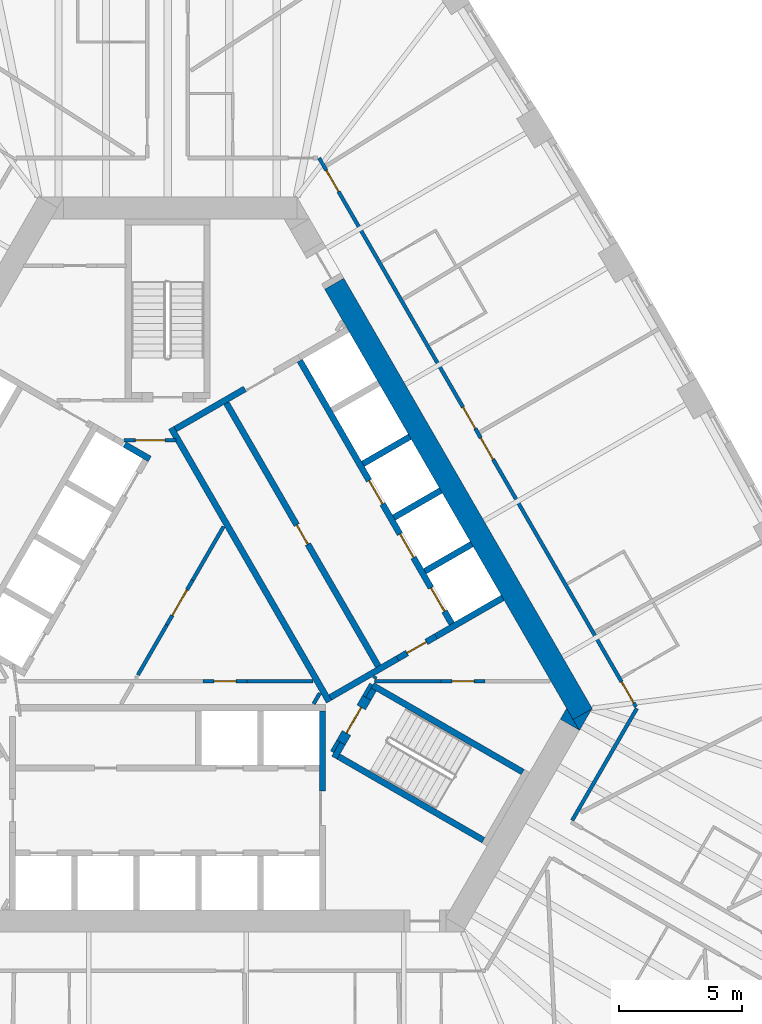
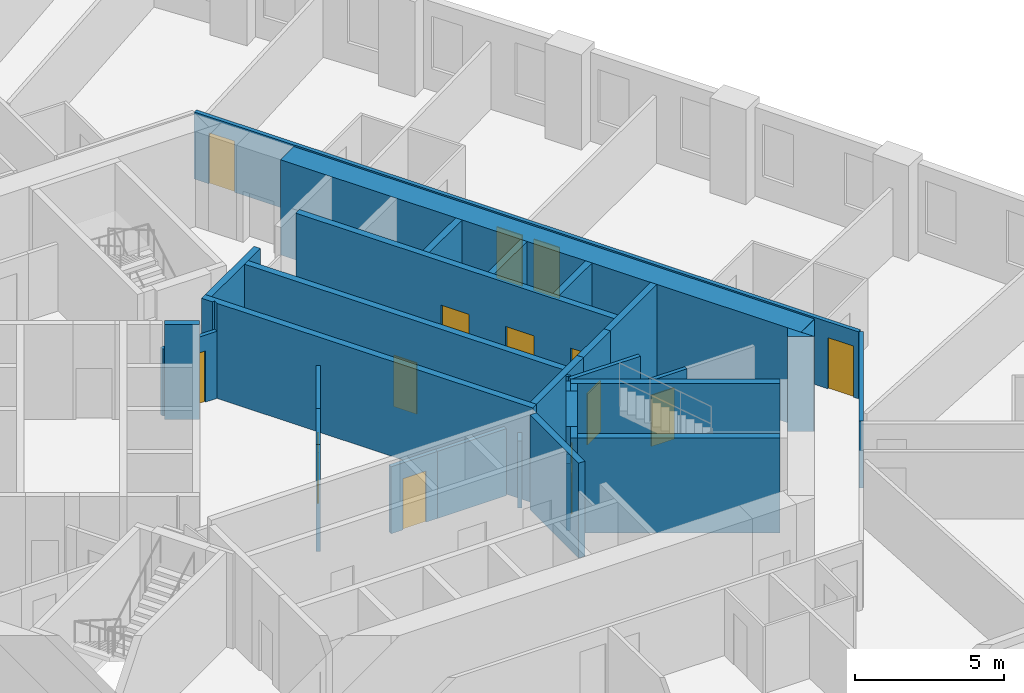
# One storey, part 8 of 13: 34 walls, 14 doors, 14 openings.
"""IFC4 building model written with IfcOpenShell, lengths in metres."""

import ifcopenshell
import ifcopenshell.guid

model = None  # the IFC model being written
_history = None  # IfcOwnerHistory: only IFC2X3 demands one
_inside = {}  # id of a spatial element -> (the spatial element, [elements in it])
_under = {}  # id of a project, library or spatial element -> (it, [spatial elements below it])
_declared = {}  # id of a project -> (the project, [libraries it declares])
_typed = {}  # id of a type object -> (the type object, [elements of that type])
_made_of = {}  # id of a material, layer set ... -> (it, [elements and type objects made of it])


def new_model(schema):
    """Start an empty IFC model of exactly this schema.

    Asked for "IFC4X3", IfcOpenShell would pick the latest addendum, in which some entities
    have other attributes; the version numbers below select the first issue.
    IFC2X3 requires an IfcOwnerHistory on every rooted entity: one is made here for all.
    """
    global model, _history
    if schema == "IFC4X3":
        model = ifcopenshell.file(schema_version=(4, 3, 0, 0))
    else:
        model = ifcopenshell.file(schema=schema)
    _inside.clear()
    _under.clear()
    _declared.clear()
    _typed.clear()
    _made_of.clear()
    _history = None
    if model.schema == "IFC2X3":
        org = make("IfcOrganization", Name="unknown")
        user = make(
            "IfcPersonAndOrganization",
            ThePerson=make("IfcPerson", FamilyName="unknown"),
            TheOrganization=org,
        )
        app = make(
            "IfcApplication",
            ApplicationDeveloper=org,
            Version="unknown",
            ApplicationFullName="unknown",
            ApplicationIdentifier="unknown",
        )
        _history = make(
            "IfcOwnerHistory",
            OwningUser=user,
            OwningApplication=app,
            ChangeAction="ADDED",
            CreationDate=0,
        )
    return model


def make(cls, **values):
    """One entity of the class cls with the attributes given. An attribute that is None is left unset."""
    return model.create_entity(
        cls, **{name: value for name, value in values.items() if value is not None}
    )


def rooted(cls, **values):
    """An entity with a GlobalId (a new one), such as an element, a storey or a relation."""
    return make(cls, GlobalId=ifcopenshell.guid.new(), OwnerHistory=_history, **values)


def si_unit(unit_type, name, prefix=None):
    """IfcSIUnit, for example si_unit("LENGTHUNIT", "METRE", prefix="MILLI")."""
    return make("IfcSIUnit", UnitType=unit_type, Prefix=prefix, Name=name)


def assignment(units):
    """IfcUnitAssignment: the units of a project."""
    return None if units is None else make("IfcUnitAssignment", Units=units)


def point(xyz):
    """IfcCartesianPoint."""
    return None if xyz is None else make("IfcCartesianPoint", Coordinates=xyz)


def direction(xyz):
    """IfcDirection."""
    return None if xyz is None else make("IfcDirection", DirectionRatios=xyz)


def frame(location, z_axis=None, x_axis=None):
    """IfcAxis2Placement3D, a coordinate frame: its origin and axes. An axis left out is left unset."""
    return make(
        "IfcAxis2Placement3D",
        Location=point(location),
        Axis=direction(z_axis),
        RefDirection=direction(x_axis),
    )


def frame_2d(location, x_axis=None):
    """IfcAxis2Placement2D, a coordinate frame in the plane: its origin and x axis."""
    return make(
        "IfcAxis2Placement2D", Location=point(location), RefDirection=direction(x_axis)
    )


def origin():
    """The frame at (0, 0, 0) with its axes left unset."""
    return frame((0.0, 0.0, 0.0))


def place(relative_to, where):
    """IfcLocalPlacement: puts the frame where relative to a parent placement (None: the world)."""
    return make(
        "IfcLocalPlacement", PlacementRelTo=relative_to, RelativePlacement=where
    )


def context(
    kind, dimensions, precision=None, world=None, true_north=None, identifier=None
):
    """IfcGeometricRepresentationContext, for example the 3D "Model" context."""
    return make(
        "IfcGeometricRepresentationContext",
        ContextIdentifier=identifier,
        ContextType=kind,
        CoordinateSpaceDimension=dimensions,
        Precision=precision,
        WorldCoordinateSystem=world,
        TrueNorth=true_north,
    )


def subcontext(parent, identifier, kind, view, scale=None):
    """IfcGeometricRepresentationSubContext, for example "Body" below "Model"."""
    return make(
        "IfcGeometricRepresentationSubContext",
        ContextIdentifier=identifier,
        ContextType=kind,
        ParentContext=parent,
        TargetScale=scale,
        TargetView=view,
    )


def project(units=None, contexts=None):
    """IfcProject with its units and contexts."""
    return rooted(
        "IfcProject",
        Name="project",
        RepresentationContexts=contexts,
        UnitsInContext=assignment(units),
    )


def spatial(cls, under=None, at=None, **own):
    """A site, building, storey or space (cls), placed at a placement, below another one or the project."""
    s = rooted(cls, ObjectPlacement=at, **own)
    if under is not None:
        _under.setdefault(under.id(), (under, []))[1].append(s)
    return s


def polyline(points):
    """IfcPolyline through the points."""
    return make("IfcPolyline", Points=[point(p) for p in points])


def profile(cls, at=None, kind="AREA", **sizes):
    """A parametric profile (cls). Its sizes go by their IFC names, for example OverallWidth=200.0."""
    return make(cls, ProfileType=kind, Position=at, **sizes)


def rectangle(**sizes):
    """IfcRectangleProfileDef."""
    return profile("IfcRectangleProfileDef", **sizes)


def outline(outer, holes=None, kind="AREA"):
    """IfcArbitraryClosedProfileDef: a profile drawn as a closed curve; with holes, ...WithVoids."""
    if holes is None:
        return make("IfcArbitraryClosedProfileDef", ProfileType=kind, OuterCurve=outer)
    return make(
        "IfcArbitraryProfileDefWithVoids",
        ProfileType=kind,
        OuterCurve=outer,
        InnerCurves=holes,
    )


def extrude(swept, where, along, depth):
    """IfcExtrudedAreaSolid: the profile swept, set in the frame where, extruded along a direction by depth."""
    return make(
        "IfcExtrudedAreaSolid",
        SweptArea=swept,
        Position=where,
        ExtrudedDirection=direction(along),
        Depth=depth,
    )


def shape(context_of_items, identifier, shape_type, items):
    """IfcShapeRepresentation: the items that make up one representation, for example the "Body"."""
    return make(
        "IfcShapeRepresentation",
        ContextOfItems=context_of_items,
        RepresentationIdentifier=identifier,
        RepresentationType=shape_type,
        Items=items,
    )


def material(Name=None, Category=None):
    """IfcMaterial."""
    return make("IfcMaterial", Name=Name, Category=Category)


def layer(
    of_material, thickness, ventilated=None, Name=None, Category=None, Priority=None
):
    """IfcMaterialLayer: one layer of a wall or slab, of a material (None: an air gap)."""
    return make(
        "IfcMaterialLayer",
        Material=of_material,
        LayerThickness=thickness,
        IsVentilated=ventilated,
        Name=Name,
        Category=Category,
        Priority=Priority,
    )


def layer_set(layers, Name=None):
    """IfcMaterialLayerSet."""
    return make("IfcMaterialLayerSet", MaterialLayers=layers, LayerSetName=Name)


def made_of(thing, what):
    """Note that an element or type object is made of a material, layer set ...; save() writes the relation."""
    if what is not None:
        _made_of.setdefault(what.id(), (what, []))[1].append(thing)
    return thing


def type_object(cls, material=None, **own):
    """A type object (cls), such as IfcWallType, which elements share."""
    return made_of(rooted(cls, **own), material)


def element(
    cls,
    number,
    at=None,
    inside=None,
    cuts=None,
    type_object=None,
    material=None,
    context=None,
    identifier="Body",
    shape_type=None,
    held_by="IfcProductDefinitionShape",
    body=None,
    shapes=None,
    **own,
):
    """One element of the class cls, such as IfcWall. Its Tag is "e" and its number.

    at: its placement. inside: the storey or other place that contains it. cuts: it is an
    opening in that element (IfcRelVoidsElement). A single representation is given by context,
    identifier, shape_type and body (its items); several are given by shapes. held_by: the class
    of the entity that holds the representations. save() writes the other relations.
    """
    e = rooted(cls, Tag="e%d" % number, ObjectPlacement=at, **own)
    if body is not None:
        shapes = [shape(context, identifier, shape_type, body)]
    if shapes is not None:
        e.Representation = make(held_by, Representations=shapes)
    if inside is not None:
        _inside.setdefault(inside.id(), (inside, []))[1].append(e)
    if cuts is not None:
        rooted(
            "IfcRelVoidsElement", RelatingBuildingElement=cuts, RelatedOpeningElement=e
        )
    if type_object is not None:
        _typed.setdefault(type_object.id(), (type_object, []))[1].append(e)
    return made_of(e, material)


def fill(opening, filler):
    """IfcRelFillsElement: the door or window that sits in an opening."""
    return rooted(
        "IfcRelFillsElement",
        RelatingOpeningElement=opening,
        RelatedBuildingElement=filler,
    )


def aggregate(whole, parts):
    """IfcRelAggregates: a whole, such as a stair, and the parts it consists of."""
    return rooted("IfcRelAggregates", RelatingObject=whole, RelatedObjects=parts)


def save(model, path):
    """Write the relations noted so far, then the file.

    IfcRelAggregates (storeys below a building ...), IfcRelContainedInSpatialStructure (elements
    in a storey), IfcRelDefinesByType, IfcRelAssociatesMaterial and IfcRelDeclares: one each for
    every whole, place, type object, material and project.
    """
    for whole, parts in _under.values():
        aggregate(whole, parts)
    for where, things in _inside.values():
        rooted(
            "IfcRelContainedInSpatialStructure",
            RelatedElements=things,
            RelatingStructure=where,
        )
    for kind, things in _typed.values():
        rooted("IfcRelDefinesByType", RelatedObjects=things, RelatingType=kind)
    for what, things in _made_of.values():
        rooted("IfcRelAssociatesMaterial", RelatedObjects=things, RelatingMaterial=what)
    for by, libraries in _declared.values():
        rooted("IfcRelDeclares", RelatingContext=by, RelatedDefinitions=libraries)
    model.write(path)


model = new_model("IFC4")

# Units and contexts
model_context = context("Model", 3, precision=1e-05, world=origin(), true_north=direction((0.0, 1.0)))
body_context = subcontext(model_context, "Body", "Model", "MODEL_VIEW")
ifc_project = project(units=[si_unit("LENGTHUNIT", "METRE"), si_unit("AREAUNIT", "SQUARE_METRE"), si_unit("VOLUMEUNIT", "CUBIC_METRE"), si_unit("PLANEANGLEUNIT", "RADIAN"), si_unit("MASSUNIT", "GRAM", prefix="KILO")], contexts=[model_context])

# Site, building, storey
site_placement = place(None, origin())
site = spatial("IfcSite", under=ifc_project, at=site_placement, CompositionType="ELEMENT")
building_placement = place(site_placement, origin())
building = spatial("IfcBuilding", under=site, at=building_placement, Name="Mestral Congress Tower", CompositionType="ELEMENT")
storey_placement = place(building_placement, frame((0.0, 0.0, 58.800048828125)))
storey = spatial("IfcBuildingStorey", under=building, at=storey_placement, Name="L13", CompositionType="ELEMENT", Elevation=58.800048828125)

# Walls
ifc_material_1 = material(Name="Fire-rated board partition")
ifc_layer_1 = layer(ifc_material_1, 0.14990234375)
ifc_layer_set_1 = layer_set([ifc_layer_1], Name="Fire-rated board partition")
wall_type_1 = type_object("IfcWallType", Name="Core partition 150", PredefinedType="PARTITIONING", material=ifc_layer_set_1)
wall_1_placement = place(storey_placement, frame((-1.20849609375, -2.5439453125, 0.0), z_axis=(0.0, 0.0, 1.0), x_axis=(0.499995339376, 0.86602809458, 0.0)))
element("IfcWall", 1, at=wall_1_placement, inside=storey, type_object=wall_type_1, Name="L13 core wall", PredefinedType="PARTITIONING", context=body_context, shape_type="SweptSolid", body=[
    extrude(rectangle(XDim=2.34912109375, YDim=0.14990234375, at=frame_2d((1.174560546875, 0.0))), origin(), (0.0, 0.0, 1.0), 2.75),
])
wall_2_placement = place(storey_placement, frame((6.68798828125, -5.667236328125, 0.0), z_axis=(0.0, 0.0, 1.0), x_axis=(0.499834152157, 0.86612113491, 0.0)))
element("IfcWall", 2, at=wall_2_placement, inside=storey, type_object=wall_type_1, Name="L13 core wall", PredefinedType="PARTITIONING", context=body_context, shape_type="SweptSolid", body=[
    extrude(rectangle(XDim=0.504638671875, YDim=0.14990234375, at=frame_2d((0.25244140625, 0.0))), origin(), (0.0, 0.0, 1.0), 2.75),
])
wall_3_placement = place(storey_placement, frame((5.935791015625, -3.718017578125, 0.0), z_axis=(0.0, 0.0, 1.0), x_axis=(0.499890179513, 0.866088799389, 0.0)))
element("IfcWall", 3, at=wall_3_placement, inside=storey, type_object=wall_type_1, Name="L13 core wall", PredefinedType="PARTITIONING", context=body_context, shape_type="SweptSolid", body=[
    extrude(rectangle(XDim=0.50390625, YDim=0.14990234375, at=frame_2d((0.251953125, 0.0))), origin(), (0.0, 0.0, 1.0), 2.75),
])
wall_4_placement = place(storey_placement, frame((3.23828125, -2.800048828125, 0.0), z_axis=(0.0, 0.0, 1.0), x_axis=(1.0, 0.0, 0.0)))
element("IfcWall", 4, at=wall_4_placement, inside=storey, type_object=wall_type_1, Name="L13 core wall", PredefinedType="PARTITIONING", context=body_context, shape_type="SweptSolid", body=[
    extrude(rectangle(XDim=2.671630859375, YDim=0.14990234375, at=frame_2d((1.3359375, 0.0))), origin(), (0.0, 0.0, 1.0), 2.75),
])
wall_5_placement = place(storey_placement, frame((1.01611328125, 1.30908203125, 0.0), z_axis=(0.0, 0.0, 1.0), x_axis=(0.49998231768, 0.866035612436, 0.0)))
element("IfcWall", 5, at=wall_5_placement, inside=storey, type_object=wall_type_1, Name="L13 core wall", PredefinedType="PARTITIONING", context=body_context, shape_type="SweptSolid", body=[
    extrude(rectangle(XDim=2.52099609375, YDim=0.14990234375, at=frame_2d((1.260498046875, 0.0))), origin(), (0.0, 0.0, 1.0), 2.75),
])

# Wall, opening, door
wall_6_placement = place(storey_placement, frame((-1.765380859375, 7.0, 0.0), z_axis=(0.0, 0.0, 1.0), x_axis=(1.0, 0.0, 0.0)))
wall_6 = element("IfcWall", 6, at=wall_6_placement, inside=storey, type_object=wall_type_1, Name="L13 door wall", PredefinedType="PARTITIONING", context=body_context, shape_type="SweptSolid", body=[
    extrude(rectangle(XDim=2.10009765625, YDim=0.14990234375, at=frame_2d((1.050048828125, 0.0))), origin(), (0.0, 0.0, 1.0), 2.75),
])
opening_1_placement = place(wall_6_placement, frame((0.449951171875, 0.0, 0.0)))
opening_1 = element("IfcOpeningElement", 7, at=opening_1_placement, cuts=wall_6, Name="Opening CD2-FF", PredefinedType="OPENING", context=body_context, shape_type="SweptSolid", body=[
    extrude(rectangle(XDim=1.199951171875, YDim=2.10009765625, at=frame_2d((0.60009765625, 1.050048828125))), frame((0.0, 0.0849609375, 0.0), z_axis=(0.0, -1.0, 0.0), x_axis=(1.0, 0.0, 0.0)), (0.0, 0.0, 1.0), 0.169921875),
])
ifc_material_2 = material(Name="Fire-rated steel door set", Category="steel")
door_type_1 = type_object("IfcDoorType", Name="Core door CD 1200x2100", OperationType="SINGLE_SWING_LEFT", PredefinedType="DOOR", material=ifc_material_2)
door_1_placement = place(opening_1_placement, origin())
door_1 = element("IfcDoor", 8, at=door_1_placement, inside=storey, type_object=door_type_1, Name="Door CD2-FF", OperationType="SINGLE_SWING_LEFT", OverallHeight=2.10009765625, OverallWidth=1.199951171875, PredefinedType="DOOR", context=body_context, shape_type="SweptSolid", body=[
    extrude(rectangle(XDim=1.199951171875, YDim=2.10009765625, at=frame_2d((0.60009765625, 1.050048828125))), frame((0.0, 0.02490234375, 0.0), z_axis=(0.0, -1.0, 0.0), x_axis=(1.0, 0.0, 0.0)), (0.0, 0.0, 1.0), 0.050048828125),
])
fill(opening_1, door_1)

wall_7_placement = place(storey_placement, frame((-0.0341796875, -0.50927734375, 0.0), z_axis=(0.0, 0.0, 1.0), x_axis=(0.49994051562, 0.866059744384, 0.0)))
wall_7 = element("IfcWall", 9, at=wall_7_placement, inside=storey, type_object=wall_type_1, Name="L13 door wall", PredefinedType="PARTITIONING", context=body_context, shape_type="SweptSolid", body=[
    extrude(rectangle(XDim=2.099853515625, YDim=0.14990234375, at=frame_2d((1.0498046875, 0.0))), origin(), (0.0, 0.0, 1.0), 2.75),
])
opening_2_placement = place(wall_7_placement, frame((0.449951171875, 0.0, 0.0)))
opening_2 = element("IfcOpeningElement", 10, at=opening_2_placement, cuts=wall_7, Name="Opening CD3-HUB0", PredefinedType="OPENING", context=body_context, shape_type="SweptSolid", body=[
    extrude(rectangle(XDim=1.199951171875, YDim=2.10009765625, at=frame_2d((0.60009765625, 1.050048828125))), frame((0.0, 0.0849609375, 0.0), z_axis=(0.0, -1.0, 0.0), x_axis=(1.0, 0.0, 0.0)), (0.0, 0.0, 1.0), 0.169921875),
])
door_2_placement = place(opening_2_placement, origin())
door_2 = element("IfcDoor", 11, at=door_2_placement, inside=storey, type_object=door_type_1, Name="Door CD3-HUB0", OperationType="SINGLE_SWING_LEFT", OverallHeight=2.10009765625, OverallWidth=1.199951171875, PredefinedType="DOOR", context=body_context, shape_type="SweptSolid", body=[
    extrude(rectangle(XDim=1.199951171875, YDim=2.10009765625, at=frame_2d((0.60009765625, 1.050048828125))), frame((0.0, 0.02490234375, 0.0), z_axis=(0.0, -1.0, 0.0), x_axis=(1.0, 0.0, 0.0)), (0.0, 0.0, 1.0), 0.050048828125),
])
fill(opening_2, door_2)

wall_8_placement = place(storey_placement, frame((1.438232421875, -2.800048828125, 0.0), z_axis=(0.0, 0.0, 1.0), x_axis=(1.0, 0.0, 0.0)))
wall_8 = element("IfcWall", 12, at=wall_8_placement, inside=storey, type_object=wall_type_1, Name="L13 door wall", PredefinedType="PARTITIONING", context=body_context, shape_type="SweptSolid", body=[
    extrude(rectangle(XDim=1.800048828125, YDim=0.14990234375, at=frame_2d((0.89990234375, 0.0))), origin(), (0.0, 0.0, 1.0), 2.75),
])
opening_3_placement = place(wall_8_placement, frame((0.449951171875, 0.0, 0.0)))
opening_3 = element("IfcOpeningElement", 13, at=opening_3_placement, cuts=wall_8, Name="Opening SD-HUB3", PredefinedType="OPENING", context=body_context, shape_type="SweptSolid", body=[
    extrude(rectangle(XDim=0.89990234375, YDim=2.10009765625, at=frame_2d((0.449951171875, 1.050048828125))), frame((0.0, 0.0849609375, 0.0), z_axis=(0.0, -1.0, 0.0), x_axis=(1.0, 0.0, 0.0)), (0.0, 0.0, 1.0), 0.169921875),
])
door_type_2 = type_object("IfcDoorType", Name="Core door SR 900x2100", OperationType="SINGLE_SWING_LEFT", PredefinedType="DOOR", material=ifc_material_2)
door_3_placement = place(opening_3_placement, origin())
door_3 = element("IfcDoor", 14, at=door_3_placement, inside=storey, type_object=door_type_2, Name="Door SD-HUB3", OperationType="SINGLE_SWING_LEFT", OverallHeight=2.10009765625, OverallWidth=0.89990234375, PredefinedType="DOOR", context=body_context, shape_type="SweptSolid", body=[
    extrude(rectangle(XDim=0.89990234375, YDim=2.10009765625, at=frame_2d((0.449951171875, 1.050048828125))), frame((0.0, 0.02490234375, 0.0), z_axis=(0.0, -1.0, 0.0), x_axis=(1.0, 0.0, 0.0)), (0.0, 0.0, 1.0), 0.050048828125),
])
fill(opening_3, door_3)

wall_9_placement = place(storey_placement, frame((11.114501953125, -2.800048828125, 0.0), z_axis=(0.0, 0.0, 1.0), x_axis=(1.0, 0.0, 0.0)))
wall_9 = element("IfcWall", 15, at=wall_9_placement, inside=storey, type_object=wall_type_1, Name="L13 door wall", PredefinedType="PARTITIONING", context=body_context, shape_type="SweptSolid", body=[
    extrude(rectangle(XDim=1.800048828125, YDim=0.14990234375, at=frame_2d((0.89990234375, 0.0))), origin(), (0.0, 0.0, 1.0), 2.75),
])
opening_4_placement = place(wall_9_placement, frame((0.449951171875, 0.0, 0.0)))
opening_4 = element("IfcOpeningElement", 16, at=opening_4_placement, cuts=wall_9, Name="Opening TD1", PredefinedType="OPENING", context=body_context, shape_type="SweptSolid", body=[
    extrude(rectangle(XDim=0.89990234375, YDim=2.10009765625, at=frame_2d((0.449951171875, 1.050048828125))), frame((0.0, 0.0849609375, 0.0), z_axis=(0.0, -1.0, 0.0), x_axis=(1.0, 0.0, 0.0)), (0.0, 0.0, 1.0), 0.169921875),
])
door_4_placement = place(opening_4_placement, origin())
door_4 = element("IfcDoor", 17, at=door_4_placement, inside=storey, type_object=door_type_2, Name="Door TD1", OperationType="SINGLE_SWING_LEFT", OverallHeight=2.10009765625, OverallWidth=0.89990234375, PredefinedType="DOOR", context=body_context, shape_type="SweptSolid", body=[
    extrude(rectangle(XDim=0.89990234375, YDim=2.10009765625, at=frame_2d((0.449951171875, 1.050048828125))), frame((0.0, 0.02490234375, 0.0), z_axis=(0.0, -1.0, 0.0), x_axis=(1.0, 0.0, 0.0)), (0.0, 0.0, 1.0), 0.050048828125),
])
fill(opening_4, door_4)

# Walls
ifc_material_3 = material(Name="Concrete C60/75", Category="concrete")
ifc_layer_2 = layer(ifc_material_3, 0.89990234375)
ifc_layer_set_2 = layer_set([ifc_layer_2], Name="Concrete C60/75")
wall_type_2 = type_object("IfcWallType", Name="Core wall RC 900", PredefinedType="SOLIDWALL", material=ifc_layer_set_2)
wall_10_placement = place(storey_placement, frame((6.77587890625, 13.36376953125, 0.0), z_axis=(0.0, 0.0, 1.0), x_axis=(0.500004177138, -0.8660229921, 0.0)))
element("IfcWall", 18, at=wall_10_placement, inside=storey, type_object=wall_type_2, Name="L13 core wall", PredefinedType="SOLIDWALL", context=body_context, shape_type="SweptSolid", body=[
    extrude(rectangle(XDim=20.203857421875, YDim=0.89990234375, at=frame_2d((10.10205078125, 0.0))), origin(), (0.0, 0.0, 1.0), 3.89990234375),
])
placement = place(storey_placement, origin())
element("IfcWall", 19, at=placement, inside=storey, type_object=wall_type_2, Name="L13 core wall", PredefinedType="SOLIDWALL", context=body_context, shape_type="SweptSolid", body=[
    extrude(outline(polyline([(16.7431640625, -4.800048828125), (16.4892578125, -4.360107421875), (17.251220703125, -3.920166015625), (16.7431640625, -4.800048828125)])), origin(), (0.0, 0.0, 1.0), 3.89990234375),
])
element("IfcWall", 20, at=placement, inside=storey, type_object=wall_type_2, Name="L13 core wall", PredefinedType="SOLIDWALL", context=body_context, shape_type="SweptSolid", body=[
    extrude(outline(polyline([(16.223388671875, -3.900146484375), (16.731689453125, -4.780029296875), (15.969482421875, -4.340087890625), (16.223388671875, -3.900146484375)])), origin(), (0.0, 0.0, 1.0), 3.89990234375),
])
ifc_material_4 = material(Name="Gypsum board partition on metal studs with mineral wool", Category="composite")
ifc_layer_3 = layer(ifc_material_4, 0.14990234375)
ifc_layer_set_3 = layer_set([ifc_layer_3], Name="Gypsum board partition on metal studs with mineral wool")
wall_type_3 = type_object("IfcWallType", Name="Hotel partition wall 150", PredefinedType="PARTITIONING", material=ifc_layer_set_3)
wall_13_placement = place(storey_placement, frame((19.081298828125, -3.89990234375, 0.0), z_axis=(0.0, 0.0, 1.0), x_axis=(-0.499974327079, -0.866040225545, 0.0)))
element("IfcWall", 21, at=wall_13_placement, inside=storey, type_object=wall_type_3, Name="L13-h-cw02", PredefinedType="PARTITIONING", context=body_context, shape_type="SweptSolid", body=[
    extrude(rectangle(XDim=5.258056640625, YDim=0.14990234375, at=frame_2d((2.62890625, 0.0))), origin(), (0.0, 0.0, 1.0), 2.75),
])

# Wall, openings, doors
wall_14_placement = place(storey_placement, frame((6.1630859375, 18.47509765625, 0.0), z_axis=(0.0, 0.0, 1.0), x_axis=(0.500001317485, -0.866024643133, 0.0)))
wall_14 = element("IfcWall", 22, at=wall_14_placement, inside=storey, type_object=wall_type_3, Name="L13-h-cw03", PredefinedType="PARTITIONING", context=body_context, shape_type="SweptSolid", body=[
    extrude(rectangle(XDim=25.7666015625, YDim=0.14990234375, at=frame_2d((12.88330078125, 0.0))), origin(), (0.0, 0.0, 1.0), 2.75),
])
opening_5_placement = place(wall_14_placement, frame((24.58642578125, 0.0, 0.0)))
opening_5 = element("IfcOpeningElement", 23, at=opening_5_placement, cuts=wall_14, Name="Opening H03-021", PredefinedType="OPENING", context=body_context, shape_type="SweptSolid", body=[
    extrude(rectangle(XDim=1.0, YDim=2.10009765625, at=frame_2d((0.5, 1.050048828125))), frame((0.0, 0.0849609375, 0.0), z_axis=(0.0, -1.0, 0.0), x_axis=(1.0, 0.0, 0.0)), (0.0, 0.0, 1.0), 0.169921875),
])
opening_6_placement = place(wall_14_placement, frame((13.143798828125, 0.0, 0.0)))
opening_6 = element("IfcOpeningElement", 24, at=opening_6_placement, cuts=wall_14, Name="Opening H03-023", PredefinedType="OPENING", context=body_context, shape_type="SweptSolid", body=[
    extrude(rectangle(XDim=1.0, YDim=2.10009765625, at=frame_2d((0.5, 1.050048828125))), frame((0.0, 0.0849609375, 0.0), z_axis=(0.0, -1.0, 0.0), x_axis=(1.0, 0.0, 0.0)), (0.0, 0.0, 1.0), 0.169921875),
])
opening_7_placement = place(wall_14_placement, frame((11.6923828125, 0.0, 0.0)))
opening_7 = element("IfcOpeningElement", 25, at=opening_7_placement, cuts=wall_14, Name="Opening H03-025", PredefinedType="OPENING", context=body_context, shape_type="SweptSolid", body=[
    extrude(rectangle(XDim=1.0, YDim=2.10009765625, at=frame_2d((0.5, 1.050048828125))), frame((0.0, 0.0849609375, 0.0), z_axis=(0.0, -1.0, 0.0), x_axis=(1.0, 0.0, 0.0)), (0.0, 0.0, 1.0), 0.169921875),
])
opening_8_placement = place(wall_14_placement, frame((0.571533203125, 0.0, 0.0)))
opening_8 = element("IfcOpeningElement", 26, at=opening_8_placement, cuts=wall_14, Name="Opening H03-027", PredefinedType="OPENING", context=body_context, shape_type="SweptSolid", body=[
    extrude(rectangle(XDim=1.0, YDim=2.10009765625, at=frame_2d((0.5, 1.050048828125))), frame((0.0, 0.0849609375, 0.0), z_axis=(0.0, -1.0, 0.0), x_axis=(1.0, 0.0, 0.0)), (0.0, 0.0, 1.0), 0.169921875),
])
ifc_material_5 = material(Name="Timber veneer door leaf in metal frame", Category="wood")
door_type_3 = type_object("IfcDoorType", Name="Guest room entrance door 1000", OperationType="SINGLE_SWING_LEFT", PredefinedType="DOOR", material=ifc_material_5)
door_5_placement = place(opening_5_placement, origin())
door_5 = element("IfcDoor", 27, at=door_5_placement, inside=storey, type_object=door_type_3, Name="L13-h-d021", OperationType="SINGLE_SWING_RIGHT", OverallHeight=2.10009765625, OverallWidth=1.0, PredefinedType="DOOR", context=body_context, shape_type="SweptSolid", body=[
    extrude(rectangle(XDim=1.0, YDim=2.10009765625, at=frame_2d((0.5, 1.050048828125))), frame((0.0, 0.02490234375, 0.0), z_axis=(0.0, -1.0, 0.0), x_axis=(1.0, 0.0, 0.0)), (0.0, 0.0, 1.0), 0.050048828125),
])
fill(opening_5, door_5)
door_6_placement = place(opening_6_placement, origin())
door_6 = element("IfcDoor", 28, at=door_6_placement, inside=storey, type_object=door_type_3, Name="L13-h-d023", OperationType="SINGLE_SWING_LEFT", OverallHeight=2.10009765625, OverallWidth=1.0, PredefinedType="DOOR", context=body_context, shape_type="SweptSolid", body=[
    extrude(rectangle(XDim=1.0, YDim=2.10009765625, at=frame_2d((0.5, 1.050048828125))), frame((0.0, 0.02490234375, 0.0), z_axis=(0.0, -1.0, 0.0), x_axis=(1.0, 0.0, 0.0)), (0.0, 0.0, 1.0), 0.050048828125),
])
fill(opening_6, door_6)
door_7_placement = place(opening_7_placement, origin())
door_7 = element("IfcDoor", 29, at=door_7_placement, inside=storey, type_object=door_type_3, Name="L13-h-d025", OperationType="SINGLE_SWING_RIGHT", OverallHeight=2.10009765625, OverallWidth=1.0, PredefinedType="DOOR", context=body_context, shape_type="SweptSolid", body=[
    extrude(rectangle(XDim=1.0, YDim=2.10009765625, at=frame_2d((0.5, 1.050048828125))), frame((0.0, 0.02490234375, 0.0), z_axis=(0.0, -1.0, 0.0), x_axis=(1.0, 0.0, 0.0)), (0.0, 0.0, 1.0), 0.050048828125),
])
fill(opening_7, door_7)
door_8_placement = place(opening_8_placement, origin())
door_8 = element("IfcDoor", 30, at=door_8_placement, inside=storey, type_object=door_type_3, Name="L13-h-d027", OperationType="SINGLE_SWING_LEFT", OverallHeight=2.10009765625, OverallWidth=1.0, PredefinedType="DOOR", context=body_context, shape_type="SweptSolid", body=[
    extrude(rectangle(XDim=1.0, YDim=2.10009765625, at=frame_2d((0.5, 1.050048828125))), frame((0.0, 0.02490234375, 0.0), z_axis=(0.0, -1.0, 0.0), x_axis=(1.0, 0.0, 0.0)), (0.0, 0.0, 1.0), 0.050048828125),
])
fill(opening_8, door_8)

# Walls
ifc_layer_4 = layer(ifc_material_3, 0.25)
ifc_layer_set_4 = layer_set([ifc_layer_4], Name="Concrete C60/75")
wall_type_4 = type_object("IfcWallType", Name="Shaft wall RC 250", PredefinedType="SOLIDWALL", material=ifc_layer_set_4)
wall_15_placement = place(storey_placement, frame((6.300048828125, -7.26806640625, 0.0), z_axis=(0.0, 0.0, 1.0), x_axis=(0.0, 1.0, 0.0)))
element("IfcWall", 31, at=wall_15_placement, inside=storey, type_object=wall_type_4, Name="L13 core wall", PredefinedType="SOLIDWALL", context=body_context, shape_type="SweptSolid", body=[
    extrude(rectangle(XDim=3.26806640625, YDim=0.25, at=frame_2d((1.634033203125, 0.0))), origin(), (0.0, 0.0, 1.0), 3.89990234375),
])
wall_16_placement = place(storey_placement, frame((10.463623046875, 1.676513671875, 0.0), z_axis=(0.0, 0.0, 1.0), x_axis=(0.86605622881, 0.499946605688, 0.0)))
element("IfcWall", 32, at=wall_16_placement, inside=storey, type_object=wall_type_4, Name="L13 core wall", PredefinedType="SOLIDWALL", context=body_context, shape_type="SweptSolid", body=[
    extrude(rectangle(XDim=2.199951171875, YDim=0.25, at=frame_2d((1.10009765625, 0.0))), origin(), (0.0, 0.0, 1.0), 3.89990234375),
])
element("IfcWall", 33, at=placement, inside=storey, type_object=wall_type_4, Name="L13 core wall", PredefinedType="SOLIDWALL", context=body_context, shape_type="SweptSolid", body=[
    extrude(outline(polyline([(0.334716796875, 6.925048828125), (0.334716796875, 6.925048828125), (0.334716796875, 7.074951171875), (0.334716796875, 7.074951171875), (0.334716796875, 7.0751953125), (0.245361328125, 7.0751953125), (0.079345703125, 7.362548828125), (0.03515625, 7.439208984375), (0.251708984375, 7.564208984375), (0.376708984375, 7.34765625), (6.551513671875, -3.34765625), (6.676513671875, -3.564208984375), (6.460205078125, -3.689208984375), (4.896728515625, -0.981201171875), (0.33203125, 6.9248046875), (0.334716796875, 6.9248046875), (0.334716796875, 6.925048828125)])), origin(), (0.0, 0.0, 1.0), 3.89990234375),
])
wall_18_placement = place(storey_placement, frame((0.314208984375, 7.455810546875, 0.0), z_axis=(0.0, 0.0, 1.0), x_axis=(0.866013897511, 0.50001992892, 0.0)))
element("IfcWall", 34, at=wall_18_placement, inside=storey, type_object=wall_type_4, Name="L13 core wall", PredefinedType="SOLIDWALL", context=body_context, shape_type="SweptSolid", body=[
    extrude(rectangle(XDim=3.267822265625, YDim=0.25, at=frame_2d((1.6337890625, 0.0))), origin(), (0.0, 0.0, 1.0), 3.89990234375),
])
wall_19_placement = place(storey_placement, frame((9.35205078125, -1.875244140625, 0.0), z_axis=(0.0, 0.0, 1.0), x_axis=(-0.866024844342, -0.500000968981, 0.0)))
element("IfcWall", 35, at=wall_19_placement, inside=storey, type_object=wall_type_4, Name="L13 core wall", PredefinedType="SOLIDWALL", context=body_context, shape_type="SweptSolid", body=[
    extrude(rectangle(XDim=3.16162109375, YDim=0.25, at=frame_2d((1.580810546875, 0.0))), origin(), (0.0, 0.0, 1.0), 3.89990234375),
])
for number, where, z_axis, x_axis, name in (
    (36, (7.943603515625, 6.041259765625, 0.0), (0.0, 0.0, 1.0), (0.86605622881, 0.499946605688, 0.0), "L13 core wall"),
    (37, (9.20361328125, 3.85888671875, 0.0), (0.0, 0.0, 1.0), (0.86605622881, 0.499946605688, 0.0), "L13 core wall"),
):
    element("IfcWall", number, at=place(storey_placement, frame(where, z_axis=z_axis, x_axis=x_axis)), inside=storey, type_object=wall_type_4, Name=name, PredefinedType="SOLIDWALL", context=body_context, shape_type="SweptSolid", body=[
        extrude(rectangle(XDim=2.199951171875, YDim=0.25, at=frame_2d((1.10009765625, 0.0))), origin(), (0.0, 0.0, 1.0), 3.89990234375),
    ])
wall_20_placement = place(storey_placement, frame((10.910888671875, -0.97509765625, 0.0), z_axis=(0.0, 0.0, 1.0), x_axis=(0.866046979468, 0.499962627957, 0.0)))
element("IfcWall", 38, at=wall_20_placement, inside=storey, type_object=wall_type_4, Name="L13 core wall", PredefinedType="SOLIDWALL", context=body_context, shape_type="SweptSolid", body=[
    extrude(rectangle(XDim=3.138427734375, YDim=0.25, at=frame_2d((1.5693359375, 0.0))), origin(), (0.0, 0.0, 1.0), 3.89990234375),
])
wall_21_placement = place(storey_placement, frame((-0.7275390625, 6.23974609375, 0.0), z_axis=(0.0, 0.0, 1.0), x_axis=(-0.866002680491, 0.500039355833, 0.0)))
element("IfcWall", 39, at=wall_21_placement, inside=storey, type_object=wall_type_4, Name="L13 core wall", PredefinedType="SOLIDWALL", context=body_context, shape_type="SweptSolid", body=[
    extrude(rectangle(XDim=1.17822265625, YDim=0.25, at=frame_2d((0.589111328125, 0.0))), origin(), (0.0, 0.0, 1.0), 3.89990234375),
])

# Wall, openings, doors
wall_22_placement = place(storey_placement, frame((11.552978515625, -0.460205078125, 0.0), z_axis=(0.0, 0.0, 1.0), x_axis=(-0.500006514828, 0.866021642414, 0.0)))
wall_22 = element("IfcWall", 40, at=wall_22_placement, inside=storey, type_object=wall_type_4, Name="L13 door wall", PredefinedType="SOLIDWALL", context=body_context, shape_type="SweptSolid", body=[
    extrude(rectangle(XDim=12.349853515625, YDim=0.25, at=frame_2d((6.1748046875, 0.0))), origin(), (0.0, 0.0, 1.0), 3.89990234375),
])
opening_9_placement = place(wall_22_placement, frame((0.5849609375, 0.0, 0.0)))
opening_9 = element("IfcOpeningElement", 41, at=opening_9_placement, cuts=wall_22, Name="Opening LD-NEA1", PredefinedType="OPENING", context=body_context, shape_type="SweptSolid", body=[
    extrude(rectangle(XDim=1.10009765625, YDim=2.10009765625, at=frame_2d((0.550048828125, 1.050048828125))), frame((0.0, 0.135009765625, 0.0), z_axis=(0.0, -1.0, 0.0), x_axis=(1.0, 0.0, 0.0)), (0.0, 0.0, 1.0), 0.27001953125),
])
opening_10_placement = place(wall_22_placement, frame((3.10498046875, 0.0, 0.0)))
opening_10 = element("IfcOpeningElement", 42, at=opening_10_placement, cuts=wall_22, Name="Opening LD-NEA2", PredefinedType="OPENING", context=body_context, shape_type="SweptSolid", body=[
    extrude(rectangle(XDim=1.10009765625, YDim=2.10009765625, at=frame_2d((0.550048828125, 1.050048828125))), frame((0.0, 0.135009765625, 0.0), z_axis=(0.0, -1.0, 0.0), x_axis=(1.0, 0.0, 0.0)), (0.0, 0.0, 1.0), 0.27001953125),
])
opening_11_placement = place(wall_22_placement, frame((5.625, 0.0, 0.0)))
opening_11 = element("IfcOpeningElement", 43, at=opening_11_placement, cuts=wall_22, Name="Opening LD-NEA3", PredefinedType="OPENING", context=body_context, shape_type="SweptSolid", body=[
    extrude(rectangle(XDim=1.10009765625, YDim=2.10009765625, at=frame_2d((0.550048828125, 1.050048828125))), frame((0.0, 0.135009765625, 0.0), z_axis=(0.0, -1.0, 0.0), x_axis=(1.0, 0.0, 0.0)), (0.0, 0.0, 1.0), 0.27001953125),
])
door_type_4 = type_object("IfcDoorType", Name="Core door LD 1100x2100", OperationType="DOUBLE_DOOR_SLIDING", PredefinedType="DOOR", material=ifc_material_2)
door_9_placement = place(opening_9_placement, origin())
door_9 = element("IfcDoor", 44, at=door_9_placement, inside=storey, type_object=door_type_4, Name="Door LD-NEA1", OperationType="DOUBLE_DOOR_SLIDING", OverallHeight=2.10009765625, OverallWidth=1.10009765625, PredefinedType="DOOR", context=body_context, shape_type="SweptSolid", body=[
    extrude(rectangle(XDim=1.10009765625, YDim=2.10009765625, at=frame_2d((0.550048828125, 1.050048828125))), frame((0.0, 0.02490234375, 0.0), z_axis=(0.0, -1.0, 0.0), x_axis=(1.0, 0.0, 0.0)), (0.0, 0.0, 1.0), 0.050048828125),
])
fill(opening_9, door_9)
door_10_placement = place(opening_10_placement, origin())
door_10 = element("IfcDoor", 45, at=door_10_placement, inside=storey, type_object=door_type_4, Name="Door LD-NEA2", OperationType="DOUBLE_DOOR_SLIDING", OverallHeight=2.10009765625, OverallWidth=1.10009765625, PredefinedType="DOOR", context=body_context, shape_type="SweptSolid", body=[
    extrude(rectangle(XDim=1.10009765625, YDim=2.10009765625, at=frame_2d((0.550048828125, 1.050048828125))), frame((0.0, 0.02490234375, 0.0), z_axis=(0.0, -1.0, 0.0), x_axis=(1.0, 0.0, 0.0)), (0.0, 0.0, 1.0), 0.050048828125),
])
fill(opening_10, door_10)
door_11_placement = place(opening_11_placement, origin())
door_11 = element("IfcDoor", 46, at=door_11_placement, inside=storey, type_object=door_type_4, Name="Door LD-NEA3", OperationType="DOUBLE_DOOR_SLIDING", OverallHeight=2.10009765625, OverallWidth=1.10009765625, PredefinedType="DOOR", context=body_context, shape_type="SweptSolid", body=[
    extrude(rectangle(XDim=1.10009765625, YDim=2.10009765625, at=frame_2d((0.550048828125, 1.050048828125))), frame((0.0, 0.02490234375, 0.0), z_axis=(0.0, -1.0, 0.0), x_axis=(1.0, 0.0, 0.0)), (0.0, 0.0, 1.0), 0.050048828125),
])
fill(opening_11, door_11)

# Wall, opening, door
wall_23_placement = place(storey_placement, frame((8.565185546875, -2.185302734375, 0.0), z_axis=(0.0, 0.0, 1.0), x_axis=(-0.499997954832, 0.866026584559, 0.0)))
wall_23 = element("IfcWall", 47, at=wall_23_placement, inside=storey, type_object=wall_type_4, Name="L13 door wall", PredefinedType="SOLIDWALL", context=body_context, shape_type="SweptSolid", body=[
    extrude(rectangle(XDim=12.35009765625, YDim=0.25, at=frame_2d((6.175048828125, 0.0))), origin(), (0.0, 0.0, 1.0), 3.89990234375),
])
opening_12_placement = place(wall_23_placement, frame((5.72509765625, 0.0, 0.0)))
opening_12 = element("IfcOpeningElement", 48, at=opening_12_placement, cuts=wall_23, Name="Opening SR-NEB1", PredefinedType="OPENING", context=body_context, shape_type="SweptSolid", body=[
    extrude(rectangle(XDim=0.89990234375, YDim=2.10009765625, at=frame_2d((0.449951171875, 1.050048828125))), frame((0.0, 0.135009765625, 0.0), z_axis=(0.0, -1.0, 0.0), x_axis=(1.0, 0.0, 0.0)), (0.0, 0.0, 1.0), 0.27001953125),
])
door_12_placement = place(opening_12_placement, origin())
door_12 = element("IfcDoor", 49, at=door_12_placement, inside=storey, type_object=door_type_2, Name="Door SR-NEB1", OperationType="SINGLE_SWING_LEFT", OverallHeight=2.10009765625, OverallWidth=0.89990234375, PredefinedType="DOOR", context=body_context, shape_type="SweptSolid", body=[
    extrude(rectangle(XDim=0.89990234375, YDim=2.10009765625, at=frame_2d((0.449951171875, 1.050048828125))), frame((0.0, 0.02490234375, 0.0), z_axis=(0.0, -1.0, 0.0), x_axis=(1.0, 0.0, 0.0)), (0.0, 0.0, 1.0), 0.050048828125),
])
fill(opening_12, door_12)

wall_24_placement = place(storey_placement, frame((9.35205078125, -1.875244140625, 0.0), z_axis=(0.0, 0.0, 1.0), x_axis=(0.865989075817, 0.500062916607, 0.0)))
wall_24 = element("IfcWall", 50, at=wall_24_placement, inside=storey, type_object=wall_type_4, Name="L13 door wall", PredefinedType="SOLIDWALL", context=body_context, shape_type="SweptSolid", body=[
    extrude(rectangle(XDim=1.800048828125, YDim=0.25, at=frame_2d((0.89990234375, 0.0))), origin(), (0.0, 0.0, 1.0), 3.89990234375),
])
opening_13_placement = place(wall_24_placement, frame((0.449951171875, 0.0, 0.0)))
opening_13 = element("IfcOpeningElement", 51, at=opening_13_placement, cuts=wall_24, Name="Opening SD-HUB2", PredefinedType="OPENING", context=body_context, shape_type="SweptSolid", body=[
    extrude(rectangle(XDim=0.89990234375, YDim=2.10009765625, at=frame_2d((0.449951171875, 1.050048828125))), frame((0.0, 0.135009765625, 0.0), z_axis=(0.0, -1.0, 0.0), x_axis=(1.0, 0.0, 0.0)), (0.0, 0.0, 1.0), 0.27001953125),
])
door_13_placement = place(opening_13_placement, origin())
door_13 = element("IfcDoor", 52, at=door_13_placement, inside=storey, type_object=door_type_2, Name="Door SD-HUB2", OperationType="SINGLE_SWING_LEFT", OverallHeight=2.10009765625, OverallWidth=0.89990234375, PredefinedType="DOOR", context=body_context, shape_type="SweptSolid", body=[
    extrude(rectangle(XDim=0.89990234375, YDim=2.10009765625, at=frame_2d((0.449951171875, 1.050048828125))), frame((0.0, 0.02490234375, 0.0), z_axis=(0.0, -1.0, 0.0), x_axis=(1.0, 0.0, 0.0)), (0.0, 0.0, 1.0), 0.050048828125),
])
fill(opening_13, door_13)

# Walls
ifc_layer_5 = layer(ifc_material_3, 0.14990234375)
ifc_layer_set_5 = layer_set([ifc_layer_5], Name="Concrete C60/75")
wall_type_5 = type_object("IfcWallType", Name="Shaft wall RC 250 door-wall 150", PredefinedType="SOLIDWALL", material=ifc_layer_set_5)
wall_25_placement = place(storey_placement, frame((8.412109375, -2.800048828125, 0.0), z_axis=(0.0, 0.0, 1.0), x_axis=(1.0, 0.0, 0.0)))
element("IfcWall", 53, at=wall_25_placement, inside=storey, type_object=wall_type_5, Name="L13 core wall", PredefinedType="PARTITIONING", context=body_context, shape_type="SweptSolid", body=[
    extrude(rectangle(XDim=2.702392578125, YDim=0.14990234375, at=frame_2d((1.35107421875, 0.0))), origin(), (0.0, 0.0, 1.0), 3.89990234375),
])
wall_26_placement = place(storey_placement, frame((8.458984375, -2.598876953125, 0.0), z_axis=(0.0, 0.0, 1.0), x_axis=(-0.501919277433, -0.864914469148, 0.0)))
element("IfcWall", 54, at=wall_26_placement, inside=storey, type_object=wall_type_5, Name="L13 core wall", PredefinedType="PARTITIONING", context=body_context, shape_type="SweptSolid", body=[
    extrude(rectangle(XDim=0.10888671875, YDim=0.14990234375, at=frame_2d((0.054443359375, 0.0))), origin(), (0.0, 0.0, 1.0), 3.89990234375),
])
wall_27_placement = place(storey_placement, frame((8.281494140625, -2.906982421875, 0.0), z_axis=(0.0, 0.0, 1.0), x_axis=(-0.500193841991, -0.86591346013, 0.0)))
element("IfcWall", 55, at=wall_27_placement, inside=storey, type_object=wall_type_5, Name="L13 core wall", PredefinedType="PARTITIONING", context=body_context, shape_type="SweptSolid", body=[
    extrude(rectangle(XDim=0.582763671875, YDim=0.14990234375, at=frame_2d((0.29150390625, 0.0))), origin(), (0.0, 0.0, 1.0), 3.89990234375),
])
ifc_layer_6 = layer(ifc_material_3, 0.25)
ifc_layer_set_6 = layer_set([ifc_layer_6], Name="Concrete C60/75")
wall_type_6 = type_object("IfcWallType", Name="Stair wall RC 250", PredefinedType="SOLIDWALL", material=ifc_layer_set_6)
wall_28_placement = place(storey_placement, frame((12.83984375, -9.2607421875, 0.0), z_axis=(0.0, 0.0, 1.0), x_axis=(-0.866013990052, 0.500019768644, 0.0)))
element("IfcWall", 56, at=wall_28_placement, inside=storey, type_object=wall_type_6, Name="L13 core wall", PredefinedType="SOLIDWALL", context=body_context, shape_type="SweptSolid", body=[
    extrude(rectangle(XDim=6.800048828125, YDim=0.25, at=frame_2d((3.39990234375, 0.0))), origin(), (0.0, 0.0, 1.0), 3.89990234375),
])
wall_29_placement = place(storey_placement, frame((7.11279296875, -5.330078125, 0.0), z_axis=(0.0, 0.0, 1.0), x_axis=(-0.499965889992, -0.866045096311, 0.0)))
element("IfcWall", 57, at=wall_29_placement, inside=storey, type_object=wall_type_6, Name="L13 core wall", PredefinedType="SOLIDWALL", context=body_context, shape_type="SweptSolid", body=[
    extrude(rectangle(XDim=0.66552734375, YDim=0.25, at=frame_2d((0.332763671875, 0.0))), origin(), (0.0, 0.0, 1.0), 3.89990234375),
])
wall_30_placement = place(storey_placement, frame((8.33447265625, -2.96435546875, 0.0), z_axis=(0.0, 0.0, 1.0), x_axis=(0.866016039709, -0.500016218704, 0.0)))
element("IfcWall", 58, at=wall_30_placement, inside=storey, type_object=wall_type_6, Name="L13 core wall", PredefinedType="SOLIDWALL", context=body_context, shape_type="SweptSolid", body=[
    extrude(rectangle(XDim=7.050048828125, YDim=0.25, at=frame_2d((3.52490234375, 0.0))), origin(), (0.0, 0.0, 1.0), 3.89990234375),
])
wall_31_placement = place(storey_placement, frame((8.162841796875, -3.51123046875, 0.0), z_axis=(0.0, 0.0, 1.0), x_axis=(0.500127794843, 0.865951608824, 0.0)))
element("IfcWall", 59, at=wall_31_placement, inside=storey, type_object=wall_type_6, Name="L13 core wall", PredefinedType="SOLIDWALL", context=body_context, shape_type="SweptSolid", body=[
    extrude(rectangle(XDim=0.4345703125, YDim=0.25, at=frame_2d((0.21728515625, 0.0))), origin(), (0.0, 0.0, 1.0), 3.89990234375),
])

# Wall, opening, door
ifc_layer_7 = layer(ifc_material_3, 0.39990234375)
ifc_layer_set_7 = layer_set([ifc_layer_7], Name="Concrete C60/75")
wall_type_7 = type_object("IfcWallType", Name="Stair wall RC 250 door-wall 400", PredefinedType="SOLIDWALL", material=ifc_layer_set_7)
wall_32_placement = place(storey_placement, frame((7.048095703125, -5.29248046875, 0.0), z_axis=(0.0, 0.0, 1.0), x_axis=(0.49994051562, 0.866059744384, 0.0)))
wall_32 = element("IfcWall", 60, at=wall_32_placement, inside=storey, type_object=wall_type_7, Name="L13 door wall", PredefinedType="SOLIDWALL", context=body_context, shape_type="SweptSolid", body=[
    extrude(rectangle(XDim=2.099853515625, YDim=0.39990234375, at=frame_2d((1.0498046875, 0.0))), origin(), (0.0, 0.0, 1.0), 3.89990234375),
])
opening_14_placement = place(wall_32_placement, frame((0.449951171875, 0.0, 0.0)))
opening_14 = element("IfcOpeningElement", 61, at=opening_14_placement, cuts=wall_32, Name="Opening ST-D1", PredefinedType="OPENING", context=body_context, shape_type="SweptSolid", body=[
    extrude(rectangle(XDim=1.199951171875, YDim=2.10009765625, at=frame_2d((0.60009765625, 1.050048828125))), frame((0.0, 0.2099609375, 0.0), z_axis=(0.0, -1.0, 0.0), x_axis=(1.0, 0.0, 0.0)), (0.0, 0.0, 1.0), 0.419921875),
])
door_type_5 = type_object("IfcDoorType", Name="Core door ST 1200x2100", OperationType="SINGLE_SWING_LEFT", PredefinedType="DOOR", material=ifc_material_2)
door_14_placement = place(opening_14_placement, origin())
door_14 = element("IfcDoor", 62, at=door_14_placement, inside=storey, type_object=door_type_5, Name="Door ST-D1", OperationType="SINGLE_SWING_LEFT", OverallHeight=2.10009765625, OverallWidth=1.199951171875, PredefinedType="DOOR", context=body_context, shape_type="SweptSolid", body=[
    extrude(rectangle(XDim=1.199951171875, YDim=2.10009765625, at=frame_2d((0.60009765625, 1.050048828125))), frame((0.0, 0.02490234375, 0.0), z_axis=(0.0, -1.0, 0.0), x_axis=(1.0, 0.0, 0.0)), (0.0, 0.0, 1.0), 0.050048828125),
])
fill(opening_14, door_14)

save(model, "model.ifc")
